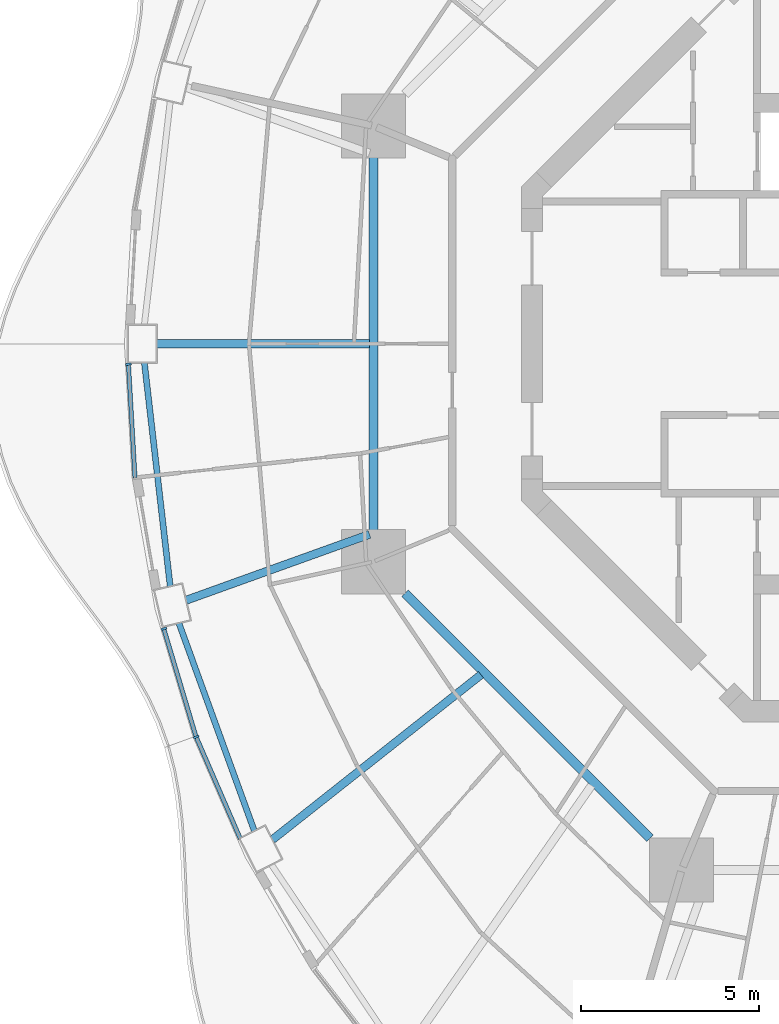
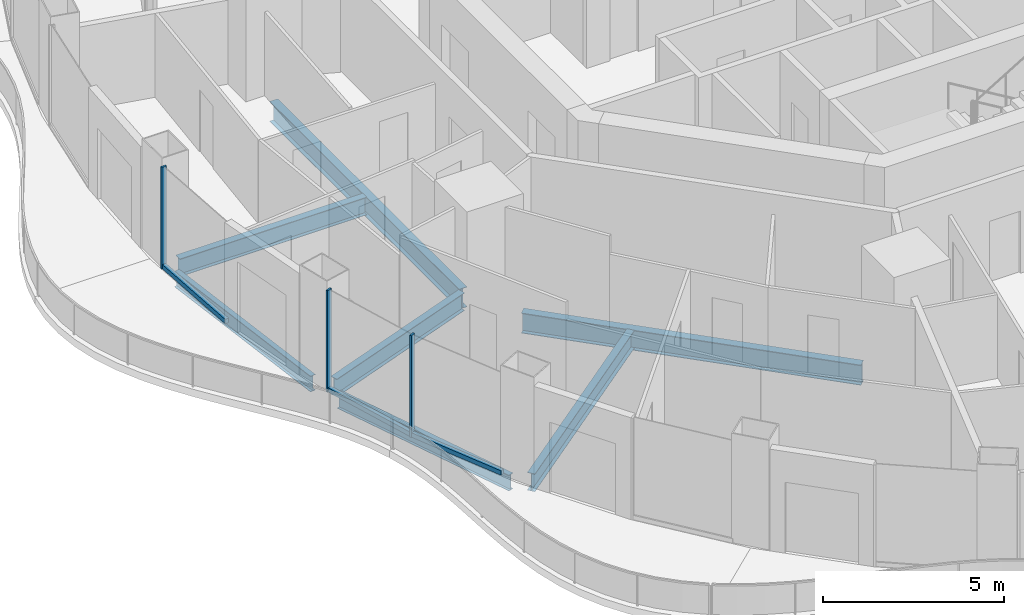
# One storey, part 3 of 19: 7 beams, 6 members, 3 elements without a shape of their own.
"""IFC4 building model written with IfcOpenShell, lengths in metres."""

from ifc_helpers import new_model, si_unit, direction, frame, origin, origin_2d, place, context, subcontext, project, spatial, rectangle, i_section, extrude, material, layer, layer_set, material_profile, profile_set, type_object, element, aggregate, save


model = new_model("IFC4")

# Units and contexts
model_context = context("Model", 3, precision=1e-05, world=origin(), true_north=direction((0.0, 1.0)))
body_context = subcontext(model_context, "Body", "Model", "MODEL_VIEW")
ifc_project = project(units=[si_unit("LENGTHUNIT", "METRE"), si_unit("AREAUNIT", "SQUARE_METRE"), si_unit("VOLUMEUNIT", "CUBIC_METRE"), si_unit("PLANEANGLEUNIT", "RADIAN"), si_unit("MASSUNIT", "GRAM", prefix="KILO")], contexts=[model_context])

# Site, building, storey
site_placement = place(None, origin())
site = spatial("IfcSite", under=ifc_project, at=site_placement, CompositionType="ELEMENT")
building_placement = place(site_placement, origin())
building = spatial("IfcBuilding", under=site, at=building_placement, Name="Nagisa Residences", CompositionType="ELEMENT")
storey_placement = place(building_placement, frame((0.0, 0.0, 173.300048828125)))
storey = spatial("IfcBuildingStorey", under=building, at=storey_placement, Name="L43", CompositionType="ELEMENT", Elevation=173.300048828125)

# Curtain wall, member
ifc_material_1 = material(Name="Concrete-coloured aluminium curtain wall system", Category="concrete")
ifc_layer = layer(ifc_material_1, 0.159912109375)
ifc_layer_set = layer_set([ifc_layer], Name="CW1 CURTAIN WALL")
curtain_wall_type = type_object("IfcCurtainWallType", Name="CW1 CURTAIN WALL", PredefinedType="NOTDEFINED", material=ifc_layer_set)
curtain_wall_1_placement = place(storey_placement, origin())
curtain_wall_1 = element("IfcCurtainWall", 1, at=curtain_wall_1_placement, inside=storey, type_object=curtain_wall_type, Name="cw:CW1:L43:24", PredefinedType="NOTDEFINED")
ifc_material_2 = material(Name="Concrete-coloured aluminium", Category="concrete")
ifc_material_profile_1 = material_profile(ifc_material_2, rectangle(XDim=0.159912109375, YDim=0.06005859375, at=origin_2d()), Name="CW1 MULLION 160x60")
ifc_profile_set_1 = profile_set([ifc_material_profile_1], Name="Concrete-coloured aluminium")
member_type_1 = type_object("IfcMemberType", Name="CW1 MULLION 160x60", PredefinedType="MULLION", material=ifc_profile_set_1)
member_1_placement = place(storey_placement, frame((-21.661865234375, -0.574462890625, 0.0), z_axis=(0.0, 0.0, 1.0), x_axis=(0.998345305184, 0.057503492216, 0.0)))
member_1 = element("IfcMember", 2, at=member_1_placement, type_object=member_type_1, Name="CW1 mullion", PredefinedType="MULLION", context=body_context, shape_type="SweptSolid", body=[
    extrude(rectangle(XDim=0.159912109375, YDim=0.06005859375, at=origin_2d()), origin(), (0.0, 0.0, 1.0), 3.43994140625),
])

curtain_wall_2_placement = place(storey_placement, origin())
curtain_wall_2 = element("IfcCurtainWall", 3, at=curtain_wall_2_placement, inside=storey, type_object=curtain_wall_type, Name="cw:CW1:L43:26", PredefinedType="NOTDEFINED")
member_2_placement = place(storey_placement, frame((-20.66796875, -8.00634765625, 0.0), z_axis=(0.0, 0.0, 1.0), x_axis=(0.958271310082, 0.285860274038, 0.0)))
member_2 = element("IfcMember", 4, at=member_2_placement, type_object=member_type_1, Name="CW1 mullion", PredefinedType="MULLION", context=body_context, shape_type="SweptSolid", body=[
    extrude(rectangle(XDim=0.159912109375, YDim=0.06005859375, at=origin_2d()), origin(), (0.0, 0.0, 1.0), 3.43994140625),
])

curtain_wall_3_placement = place(storey_placement, origin())
curtain_wall_3 = element("IfcCurtainWall", 5, at=curtain_wall_3_placement, inside=storey, type_object=curtain_wall_type, Name="cw:CW1:L43:27", PredefinedType="NOTDEFINED")
member_3_placement = place(storey_placement, frame((-19.758056640625, -11.045654296875, 0.0), z_axis=(0.0, 0.0, 1.0), x_axis=(0.917543276295, 0.397635934147, 0.0)))
member_3 = element("IfcMember", 6, at=member_3_placement, type_object=member_type_1, Name="CW1 mullion", PredefinedType="MULLION", context=body_context, shape_type="SweptSolid", body=[
    extrude(rectangle(XDim=0.159912109375, YDim=0.06005859375, at=origin_2d()), origin(), (0.0, 0.0, 1.0), 3.43994140625),
])

# Member
ifc_material_3 = material(Name="Concrete-coloured aluminium", Category="concrete")
ifc_material_profile_2 = material_profile(ifc_material_3, rectangle(XDim=0.1201171875, YDim=0.14990234375, at=origin_2d()), Name="CW1 TRANSOM 120x150")
ifc_profile_set_2 = profile_set([ifc_material_profile_2], Name="Concrete-coloured aluminium")
member_type_2 = type_object("IfcMemberType", Name="CW1 TRANSOM 120x150", PredefinedType="USERDEFINED", material=ifc_profile_set_2)
member_4_placement = place(storey_placement, frame((-21.66357421875, -0.54443359375, 0.074951171875), z_axis=(0.057528345118, -0.998343873376, 0.0), x_axis=(0.998343873376, 0.057528345118, 0.0)))
member_4 = element("IfcMember", 7, at=member_4_placement, type_object=member_type_2, Name="CW1 transom", ObjectType="TRANSOM", PredefinedType="USERDEFINED", context=body_context, shape_type="SweptSolid", body=[
    extrude(rectangle(XDim=0.1201171875, YDim=0.14990234375, at=origin_2d()), origin(), (0.0, 0.0, 1.0), 3.225341796875),
])

aggregate(curtain_wall_1, [member_1, member_4])

member_5_placement = place(storey_placement, frame((-20.676513671875, -7.9775390625, 0.074951171875), z_axis=(0.28584838049, -0.958274857946, 0.0), x_axis=(0.958274857946, 0.28584838049, 0.0)))
member_5 = element("IfcMember", 8, at=member_5_placement, type_object=member_type_2, Name="CW1 transom", ObjectType="TRANSOM", PredefinedType="USERDEFINED", context=body_context, shape_type="SweptSolid", body=[
    extrude(rectangle(XDim=0.1201171875, YDim=0.14990234375, at=origin_2d()), origin(), (0.0, 0.0, 1.0), 3.182373046875),
])

aggregate(curtain_wall_2, [member_2, member_5])

member_6_placement = place(storey_placement, frame((-19.77001953125, -11.01806640625, 0.074951171875), z_axis=(0.397592173732, -0.917562239517, 0.0), x_axis=(0.917562239517, 0.397592173732, 0.0)))
member_6 = element("IfcMember", 9, at=member_6_placement, type_object=member_type_2, Name="CW1 transom", ObjectType="TRANSOM", PredefinedType="USERDEFINED", context=body_context, shape_type="SweptSolid", body=[
    extrude(rectangle(XDim=0.1201171875, YDim=0.14990234375, at=origin_2d()), origin(), (0.0, 0.0, 1.0), 3.14208984375),
])

aggregate(curtain_wall_3, [member_3, member_6])

# Beams
ifc_material_4 = material(Name="Steel ASTM A572 Gr 50", Category="steel")
ifc_material_profile_3 = material_profile(ifc_material_4, i_section(OverallWidth=0.25390625, OverallDepth=0.68408203125, WebThickness=0.012451171875, FlangeThickness=0.018798828125, at=origin_2d()), Name="W690x140")
ifc_profile_set_3 = profile_set([ifc_material_profile_3], Name="Steel ASTM A572 Gr 50")
beam_type_1 = type_object("IfcBeamType", Name="Inner ring beam W690x140", PredefinedType="BEAM", material=ifc_profile_set_3)
beam_1_placement = place(storey_placement, frame((-14.781982421875, 5.242919921875, -0.60205078125), z_axis=(0.0, -1.0, 0.0), x_axis=(1.0, 0.0, 0.0)))
element("IfcBeam", 10, at=beam_1_placement, inside=storey, type_object=beam_type_1, Name="beam:L43:ib4", PredefinedType="BEAM", context=body_context, shape_type="SweptSolid", body=[
    extrude(i_section(OverallWidth=0.25390625, OverallDepth=0.68408203125, WebThickness=0.012451171875, FlangeThickness=0.018798828125, at=origin_2d()), origin(), (0.0, 0.0, 1.0), 10.48583984375),
])
beam_2_placement = place(storey_placement, frame((-13.896240234375, -7.0087890625, -0.60205078125), z_axis=(0.707106781187, -0.707106781187, 0.0), x_axis=(0.707106781187, 0.707106781187, 0.0)))
element("IfcBeam", 11, at=beam_2_placement, inside=storey, type_object=beam_type_1, Name="beam:L43:ib5", PredefinedType="BEAM", context=body_context, shape_type="SweptSolid", body=[
    extrude(i_section(OverallWidth=0.25390625, OverallDepth=0.68408203125, WebThickness=0.012451171875, FlangeThickness=0.018798828125, at=origin_2d()), origin(), (0.0, 0.0, 1.0), 9.740234375),
])
ifc_material_5 = material(Name="Steel ASTM A572 Gr 50", Category="steel")
ifc_material_profile_4 = material_profile(ifc_material_5, i_section(OverallWidth=0.166015625, OverallDepth=0.534912109375, WebThickness=0.01025390625, FlangeThickness=0.0166015625, at=origin_2d()), Name="W530x85")
ifc_profile_set_4 = profile_set([ifc_material_profile_4], Name="Steel ASTM A572 Gr 50")
beam_type_2 = type_object("IfcBeamType", Name="Perimeter ring beam W530x85", PredefinedType="BEAM", material=ifc_profile_set_4)
beam_3_placement = place(storey_placement, frame((-21.2138671875, -0.530029296875, -0.527587890625), z_axis=(0.114670987431, -0.993403525583, 0.0), x_axis=(0.993403525583, 0.114670987431, 0.0)))
element("IfcBeam", 12, at=beam_3_placement, inside=storey, type_object=beam_type_2, Name="beam:L43:pb13", PredefinedType="BEAM", context=body_context, shape_type="SweptSolid", body=[
    extrude(i_section(OverallWidth=0.166015625, OverallDepth=0.534912109375, WebThickness=0.01025390625, FlangeThickness=0.0166015625, at=origin_2d()), origin(), (0.0, 0.0, 1.0), 6.325439453125),
])
beam_4_placement = place(storey_placement, frame((-20.2451171875, -7.845703125, -0.527587890625), z_axis=(0.341285525681, -0.939959674646, 0.0), x_axis=(0.939959674646, 0.341285525681, 0.0)))
element("IfcBeam", 13, at=beam_4_placement, inside=storey, type_object=beam_type_2, Name="beam:L43:pb14", PredefinedType="BEAM", context=body_context, shape_type="SweptSolid", body=[
    extrude(i_section(OverallWidth=0.166015625, OverallDepth=0.534912109375, WebThickness=0.01025390625, FlangeThickness=0.0166015625, at=origin_2d()), origin(), (0.0, 0.0, 1.0), 6.212890625),
])
ifc_material_6 = material(Name="Steel ASTM A572 Gr 50", Category="steel")
ifc_material_profile_5 = material_profile(ifc_material_6, i_section(OverallWidth=0.22802734375, OverallDepth=0.60302734375, WebThickness=0.010498046875, FlangeThickness=0.014892578125, at=origin_2d()), Name="W610x101")
ifc_profile_set_5 = profile_set([ifc_material_profile_5], Name="Steel ASTM A572 Gr 50")
beam_type_3 = type_object("IfcBeamType", Name="Radial beam W610x101", PredefinedType="BEAM", material=ifc_profile_set_5)
beam_5_placement = place(storey_placement, frame((-20.8701171875, 0.0, -0.5615234375), z_axis=(1.0, 0.0, 0.0), x_axis=(0.0, 1.0, 0.0)))
element("IfcBeam", 14, at=beam_5_placement, inside=storey, type_object=beam_type_3, Name="beam:L43:rb13", PredefinedType="BEAM", context=body_context, shape_type="SweptSolid", body=[
    extrude(i_section(OverallWidth=0.22802734375, OverallDepth=0.60302734375, WebThickness=0.010498046875, FlangeThickness=0.014892578125, at=origin_2d()), origin(), (0.0, 0.0, 1.0), 5.98095703125),
])
beam_6_placement = place(storey_placement, frame((-20.043701171875, -7.2060546875, -0.5615234375), z_axis=(0.941032808963, 0.338315315137, 0.0), x_axis=(-0.338315315137, 0.941032808963, 0.0)))
element("IfcBeam", 15, at=beam_6_placement, inside=storey, type_object=beam_type_3, Name="beam:L43:rb14", PredefinedType="BEAM", context=body_context, shape_type="SweptSolid", body=[
    extrude(i_section(OverallWidth=0.22802734375, OverallDepth=0.60302734375, WebThickness=0.010498046875, FlangeThickness=0.014892578125, at=origin_2d()), origin(), (0.0, 0.0, 1.0), 5.4765625),
])
beam_7_placement = place(storey_placement, frame((-17.617919921875, -13.930908203125, -0.5615234375), z_axis=(0.784411523752, 0.620240728593, 0.0), x_axis=(-0.620240728593, 0.784411523752, 0.0)))
element("IfcBeam", 16, at=beam_7_placement, inside=storey, type_object=beam_type_3, Name="beam:L43:rb15", PredefinedType="BEAM", context=body_context, shape_type="SweptSolid", body=[
    extrude(i_section(OverallWidth=0.22802734375, OverallDepth=0.60302734375, WebThickness=0.010498046875, FlangeThickness=0.014892578125, at=origin_2d()), origin(), (0.0, 0.0, 1.0), 7.4697265625),
])

save(model, "model.ifc")
